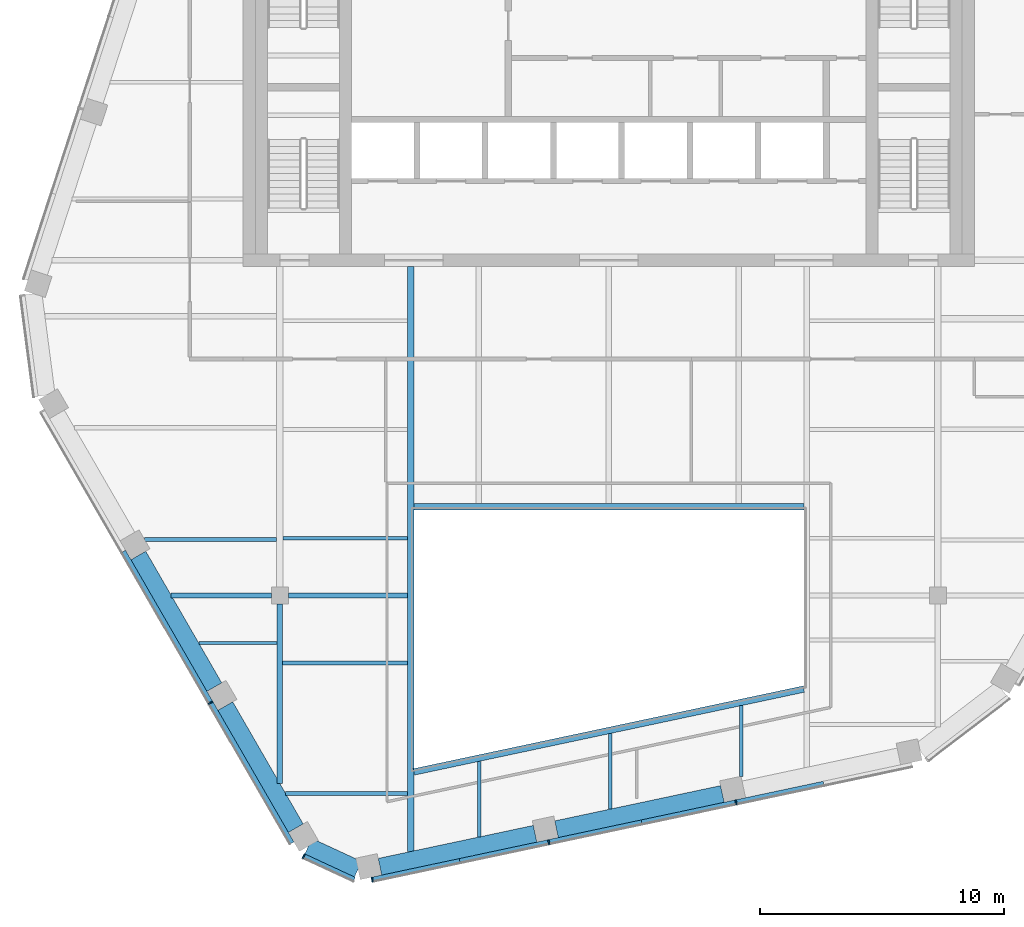
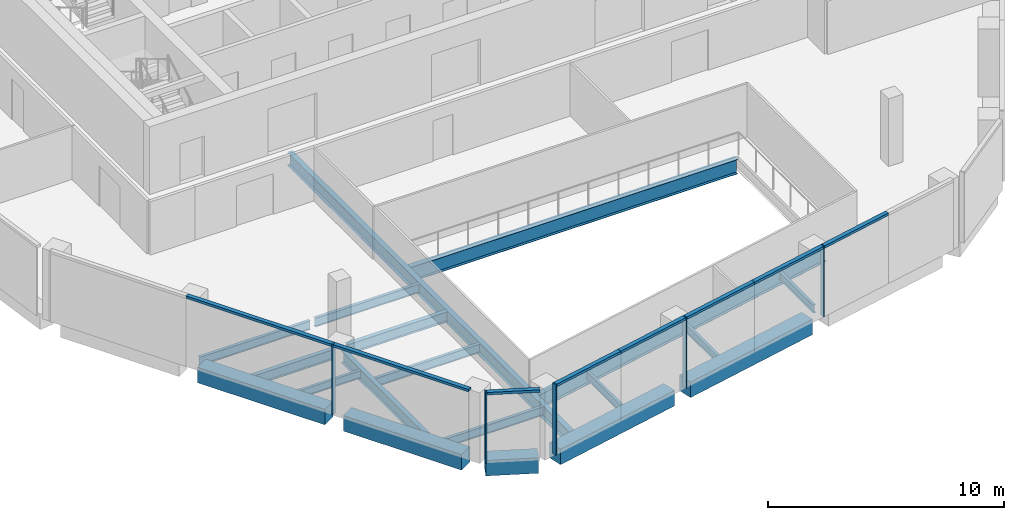
# One storey, part 2 of 15: 19 beams, 13 members, 3 elements without a shape of their own.
"""IFC4 building model written with IfcOpenShell, lengths in metres."""

from ifc_helpers import new_model, si_unit, direction, frame, origin, origin_2d, place, context, subcontext, project, spatial, rectangle, i_section, extrude, material, layer, layer_set, material_profile, profile_set, type_object, element, aggregate, save


model = new_model("IFC4")

# Units and contexts
model_context = context("Model", 3, precision=1e-05, world=origin(), true_north=direction((0.0, 1.0)))
body_context = subcontext(model_context, "Body", "Model", "MODEL_VIEW")
ifc_project = project(units=[si_unit("LENGTHUNIT", "METRE"), si_unit("AREAUNIT", "SQUARE_METRE"), si_unit("VOLUMEUNIT", "CUBIC_METRE"), si_unit("PLANEANGLEUNIT", "RADIAN"), si_unit("MASSUNIT", "GRAM", prefix="KILO")], contexts=[model_context])

# Site, building, storey
site_placement = place(None, origin())
site = spatial("IfcSite", under=ifc_project, at=site_placement, CompositionType="ELEMENT")
building_placement = place(site_placement, origin())
building = spatial("IfcBuilding", under=site, at=building_placement, Name="Isthmus Gate Tower", CompositionType="ELEMENT")
storey_placement = place(building_placement, frame((0.0, 0.0, 271.89990234375)))
storey = spatial("IfcBuildingStorey", under=building, at=storey_placement, Name="L69", CompositionType="ELEMENT", Elevation=271.89990234375)

# Curtain wall, member
ifc_material_1 = material(Name="Aluminium, pale champagne anodised", Category="aluminium")
ifc_layer = layer(ifc_material_1, 0.199951171875)
ifc_layer_set = layer_set([ifc_layer], Name="CW-1 UNITISED CURTAIN WALL 200 DEEP")
curtain_wall_type = type_object("IfcCurtainWallType", Name="CW-1 UNITISED CURTAIN WALL 200 DEEP", PredefinedType="NOTDEFINED", material=ifc_layer_set)
curtain_wall_1_placement = place(storey_placement, origin())
curtain_wall_1 = element("IfcCurtainWall", 1, at=curtain_wall_1_placement, inside=storey, type_object=curtain_wall_type, Name="CW-1 SW L69", PredefinedType="NOTDEFINED")
ifc_material_2 = material(Name="Aluminium, pale champagne anodised", Category="aluminium")
ifc_material_profile_1 = material_profile(ifc_material_2, rectangle(XDim=0.06005859375, YDim=0.199951171875, at=origin_2d()), Name="60x200")
ifc_profile_set_1 = profile_set([ifc_material_profile_1], Name="Aluminium, pale champagne anodised")
member_type_1 = type_object("IfcMemberType", Name="CW-1 MULLION 60 X 200", PredefinedType="MULLION", material=ifc_profile_set_1)
member_1_placement = place(storey_placement, frame((-16.33544921875, -17.90625, 0.0), z_axis=(0.0, 0.0, 1.0), x_axis=(0.5, -0.866025403784, 0.0)))
member_1 = element("IfcMember", 2, at=member_1_placement, type_object=member_type_1, Name="CW-1 mullion", PredefinedType="MULLION", context=body_context, shape_type="SweptSolid", body=[
    extrude(rectangle(XDim=0.06005859375, YDim=0.199951171875, at=origin_2d()), origin(), (0.0, 0.0, 1.0), 3.650146484375),
])

curtain_wall_2_placement = place(storey_placement, origin())
curtain_wall_2 = element("IfcCurtainWall", 3, at=curtain_wall_2_placement, inside=storey, type_object=curtain_wall_type, Name="CW-1 SW-S L69", PredefinedType="NOTDEFINED")
member_2_placement = place(storey_placement, frame((-12.519775390625, -24.201171875, 0.0), z_axis=(0.0, 0.0, 1.0), x_axis=(0.907256261367, -0.420578264073, 0.0)))
member_2 = element("IfcMember", 4, at=member_2_placement, type_object=member_type_1, Name="CW-1 mullion", PredefinedType="MULLION", context=body_context, shape_type="SweptSolid", body=[
    extrude(rectangle(XDim=0.06005859375, YDim=0.199951171875, at=origin_2d()), origin(), (0.0, 0.0, 1.0), 3.650146484375),
])

# Curtain wall, members
curtain_wall_3_placement = place(storey_placement, origin())
curtain_wall_3 = element("IfcCurtainWall", 5, at=curtain_wall_3_placement, inside=storey, type_object=curtain_wall_type, Name="CW-1 S L69", PredefinedType="NOTDEFINED")
member_3_placement = place(storey_placement, frame((-9.70703125, -25.16552734375, 0.0), z_axis=(0.0, 0.0, 1.0), x_axis=(0.978147600734, 0.207911690818, 0.0)))
member_3 = element("IfcMember", 6, at=member_3_placement, type_object=member_type_1, Name="CW-1 mullion", PredefinedType="MULLION", context=body_context, shape_type="SweptSolid", body=[
    extrude(rectangle(XDim=0.06005859375, YDim=0.199951171875, at=origin_2d()), origin(), (0.0, 0.0, 1.0), 3.650146484375),
])
member_4_placement = place(storey_placement, frame((-2.462158203125, -23.62548828125, 0.0), z_axis=(0.0, 0.0, 1.0), x_axis=(0.978147600734, 0.207911690818, 0.0)))
member_4 = element("IfcMember", 7, at=member_4_placement, type_object=member_type_1, Name="CW-1 mullion", PredefinedType="MULLION", context=body_context, shape_type="SweptSolid", body=[
    extrude(rectangle(XDim=0.06005859375, YDim=0.199951171875, at=origin_2d()), origin(), (0.0, 0.0, 1.0), 3.650146484375),
])
member_5_placement = place(storey_placement, frame((5.222900390625, -21.991943359375, 0.0), z_axis=(0.0, 0.0, 1.0), x_axis=(0.978147600734, 0.207911690818, 0.0)))
member_5 = element("IfcMember", 8, at=member_5_placement, type_object=member_type_1, Name="CW-1 mullion", PredefinedType="MULLION", context=body_context, shape_type="SweptSolid", body=[
    extrude(rectangle(XDim=0.06005859375, YDim=0.199951171875, at=origin_2d()), origin(), (0.0, 0.0, 1.0), 3.650146484375),
])

# Member
ifc_material_3 = material(Name="Aluminium, pale champagne anodised", Category="aluminium")
ifc_material_profile_2 = material_profile(ifc_material_3, rectangle(XDim=0.199951171875, YDim=0.1298828125, at=origin_2d()), Name="200x130")
ifc_profile_set_2 = profile_set([ifc_material_profile_2], Name="Aluminium, pale champagne anodised")
member_type_2 = type_object("IfcMemberType", Name="CW-1 TRANSOM 200 X 130", PredefinedType="USERDEFINED", material=ifc_profile_set_2)
member_6_placement = place(storey_placement, frame((-19.917724609375, -11.70166015625, 3.585205078125), z_axis=(0.500010763282, -0.866019189511, 0.0), x_axis=(0.866019189511, 0.500010763282, 0.0)))
member_6 = element("IfcMember", 9, at=member_6_placement, type_object=member_type_2, Name="CW-1 transom", ObjectType="TRANSOM", PredefinedType="USERDEFINED", context=body_context, shape_type="SweptSolid", body=[
    extrude(rectangle(XDim=0.199951171875, YDim=0.1298828125, at=origin_2d()), origin(), (0.0, 0.0, 1.0), 7.134521484375),
])

member_7_placement = place(storey_placement, frame((-16.3203125, -17.932373046875, 3.585205078125), z_axis=(0.500011702555, -0.866018647206, 0.0), x_axis=(0.866018647206, 0.500011702555, 0.0)))
member_7 = element("IfcMember", 10, at=member_7_placement, type_object=member_type_2, Name="CW-1 transom", ObjectType="TRANSOM", PredefinedType="USERDEFINED", context=body_context, shape_type="SweptSolid", body=[
    extrude(rectangle(XDim=0.199951171875, YDim=0.1298828125, at=origin_2d()), origin(), (0.0, 0.0, 1.0), 6.624267578125),
])

aggregate(curtain_wall_1, [member_6, member_1, member_7])

member_8_placement = place(storey_placement, frame((-12.49267578125, -24.213623046875, 3.585205078125), z_axis=(0.907246225564, -0.420599912268, 0.0), x_axis=(0.420599912268, 0.907246225564, 0.0)))
member_8 = element("IfcMember", 11, at=member_8_placement, type_object=member_type_2, Name="CW-1 transom", ObjectType="TRANSOM", PredefinedType="USERDEFINED", context=body_context, shape_type="SweptSolid", body=[
    extrude(rectangle(XDim=0.199951171875, YDim=0.1298828125, at=origin_2d()), origin(), (0.0, 0.0, 1.0), 2.258544921875),
])

aggregate(curtain_wall_2, [member_2, member_8])

member_9_placement = place(storey_placement, frame((-9.677734375, -25.1591796875, 3.585205078125), z_axis=(0.9781569775, 0.207867571707, 0.0), x_axis=(-0.207867571707, 0.9781569775, 0.0)))
member_9 = element("IfcMember", 12, at=member_9_placement, type_object=member_type_2, Name="CW-1 transom", ObjectType="TRANSOM", PredefinedType="USERDEFINED", context=body_context, shape_type="SweptSolid", body=[
    extrude(rectangle(XDim=0.199951171875, YDim=0.1298828125, at=origin_2d()), origin(), (0.0, 0.0, 1.0), 3.643310546875),
])

member_10_placement = place(storey_placement, frame((-6.114013671875, -24.40185546875, 3.585205078125), z_axis=(0.978146451283, 0.207917098487, 0.0), x_axis=(-0.207917098487, 0.978146451283, 0.0)))
member_10 = element("IfcMember", 13, at=member_10_placement, type_object=member_type_2, Name="CW-1 transom", ObjectType="TRANSOM", PredefinedType="USERDEFINED", context=body_context, shape_type="SweptSolid", body=[
    extrude(rectangle(XDim=0.199951171875, YDim=0.1298828125, at=origin_2d()), origin(), (0.0, 0.0, 1.0), 3.70361328125),
])

member_11_placement = place(storey_placement, frame((-2.432861328125, -23.619384765625, 3.585205078125), z_axis=(0.978140080964, 0.207947065409, 0.0), x_axis=(-0.207947065409, 0.978140080964, 0.0)))
member_11 = element("IfcMember", 14, at=member_11_placement, type_object=member_type_2, Name="CW-1 transom", ObjectType="TRANSOM", PredefinedType="USERDEFINED", context=body_context, shape_type="SweptSolid", body=[
    extrude(rectangle(XDim=0.199951171875, YDim=0.1298828125, at=origin_2d()), origin(), (0.0, 0.0, 1.0), 3.868408203125),
])

member_12_placement = place(storey_placement, frame((1.35107421875, -22.81494140625, 3.585205078125), z_axis=(0.978153006411, 0.207886257478, 0.0), x_axis=(-0.207886257478, 0.978153006411, 0.0)))
member_12 = element("IfcMember", 15, at=member_12_placement, type_object=member_type_2, Name="CW-1 transom", ObjectType="TRANSOM", PredefinedType="USERDEFINED", context=body_context, shape_type="SweptSolid", body=[
    extrude(rectangle(XDim=0.199951171875, YDim=0.1298828125, at=origin_2d()), origin(), (0.0, 0.0, 1.0), 3.928466796875),
])

member_13_placement = place(storey_placement, frame((5.25244140625, -21.98583984375, 3.585205078125), z_axis=(0.978143350472, 0.207931685724, 0.0), x_axis=(-0.207931685724, 0.978143350472, 0.0)))
member_13 = element("IfcMember", 16, at=member_13_placement, type_object=member_type_2, Name="CW-1 transom", ObjectType="TRANSOM", PredefinedType="USERDEFINED", context=body_context, shape_type="SweptSolid", body=[
    extrude(rectangle(XDim=0.199951171875, YDim=0.1298828125, at=origin_2d()), origin(), (0.0, 0.0, 1.0), 3.643310546875),
])

aggregate(curtain_wall_3, [member_3, member_9, member_10, member_4, member_11, member_12, member_5, member_13])

# Beams
ifc_material_4 = material(Name="Concrete f'c 50 MPa", Category="concrete")
ifc_material_profile_3 = material_profile(ifc_material_4, rectangle(XDim=0.699951171875, YDim=0.800048828125, at=origin_2d()), Name="RC 700X800")
ifc_profile_set_3 = profile_set([ifc_material_profile_3], Name="Concrete f'c 50 MPa")
beam_type_1 = type_object("IfcBeamType", Name="RC SPANDREL 700 X 800", PredefinedType="SPANDREL", material=ifc_profile_set_3)
beam_1_placement = place(storey_placement, frame((4.659912109375, -21.651611328125, -0.39990234375), z_axis=(-0.978143150477, -0.207932626528, 0.0), x_axis=(0.207932626528, -0.978143150477, 0.0)))
element("IfcBeam", 17, at=beam_1_placement, inside=storey, type_object=beam_type_1, Name="str-spandrel-L69-10", PredefinedType="SPANDREL", context=body_context, shape_type="SweptSolid", body=[
    extrude(rectangle(XDim=0.699951171875, YDim=0.800048828125, at=origin_2d()), origin(), (0.0, 0.0, 1.0), 6.956787109375),
])
beam_2_placement = place(storey_placement, frame((-3.025146484375, -23.28515625, -0.39990234375), z_axis=(-0.97815026796, -0.207899142108, 0.0), x_axis=(0.207899142108, -0.97815026796, 0.0)))
element("IfcBeam", 18, at=beam_2_placement, inside=storey, type_object=beam_type_1, Name="str-spandrel-L69-11", PredefinedType="SPANDREL", context=body_context, shape_type="SweptSolid", body=[
    extrude(rectangle(XDim=0.699951171875, YDim=0.800048828125, at=origin_2d()), origin(), (0.0, 0.0, 1.0), 6.5068359375),
])
beam_3_placement = place(storey_placement, frame((-10.288330078125, -24.739501953125, -0.39990234375), z_axis=(-0.907254968276, 0.42058105347, 0.0), x_axis=(-0.42058105347, -0.907254968276, 0.0)))
element("IfcBeam", 19, at=beam_3_placement, inside=storey, type_object=beam_type_1, Name="str-spandrel-L69-12", PredefinedType="SPANDREL", context=body_context, shape_type="SweptSolid", body=[
    extrude(rectangle(XDim=0.699951171875, YDim=0.800048828125, at=origin_2d()), origin(), (0.0, 0.0, 1.0), 2.245849609375),
])
beam_4_placement = place(storey_placement, frame((-12.843505859375, -23.0546875, -0.39990234375), z_axis=(-0.499961143711, 0.866047836311, 0.0), x_axis=(-0.866047836311, -0.499961143711, 0.0)))
element("IfcBeam", 20, at=beam_4_placement, inside=storey, type_object=beam_type_1, Name="str-spandrel-L69-13", PredefinedType="SPANDREL", context=body_context, shape_type="SweptSolid", body=[
    extrude(rectangle(XDim=0.699951171875, YDim=0.800048828125, at=origin_2d()), origin(), (0.0, 0.0, 1.0), 5.78466796875),
])
beam_5_placement = place(storey_placement, frame((-16.185791015625, -17.265625, -0.39990234375), z_axis=(-0.499997027648, 0.866027119866, 0.0), x_axis=(-0.866027119866, -0.499997027648, 0.0)))
element("IfcBeam", 21, at=beam_5_placement, inside=storey, type_object=beam_type_1, Name="str-spandrel-L69-14", PredefinedType="SPANDREL", context=body_context, shape_type="SweptSolid", body=[
    extrude(rectangle(XDim=0.699951171875, YDim=0.800048828125, at=origin_2d()), origin(), (0.0, 0.0, 1.0), 6.234375),
])
ifc_material_5 = material(Name="Structural steel ASTM A992 Gr 50", Category="steel")
ifc_material_profile_4 = material_profile(ifc_material_5, i_section(OverallWidth=0.1396484375, OverallDepth=0.4033203125, WebThickness=0.00634765625, FlangeThickness=0.010986328125, at=origin_2d()), Name="W16X31")
ifc_profile_set_4 = profile_set([ifc_material_profile_4], Name="Structural steel ASTM A992 Gr 50")
beam_type_2 = type_object("IfcBeamType", Name="STEEL FLOOR BEAM W16X31", PredefinedType="JOIST", material=ifc_profile_set_4)
beam_6_placement = place(storey_placement, frame((-16.824951171875, -15.45849609375, -0.3515625), z_axis=(1.0, 0.0, 0.0), x_axis=(0.0, 1.0, 0.0)))
element("IfcBeam", 22, at=beam_6_placement, inside=storey, type_object=beam_type_2, Name="str-beam-L69-02-00", PredefinedType="JOIST", context=body_context, shape_type="SweptSolid", body=[
    extrude(i_section(OverallWidth=0.1396484375, OverallDepth=0.4033203125, WebThickness=0.00634765625, FlangeThickness=0.010986328125, at=origin_2d()), origin(), (0.0, 0.0, 1.0), 3.210693359375),
])
for number, where, z_axis, x_axis, name in (
    (23, (-5.314208984375, -23.4140625, -0.3515625), (0.0, 1.0, 0.0), (-1.0, 0.0, 0.0), "str-beam-L69-05-00"),
    (24, (0.05712890625, -22.272216796875, -0.3515625), (0.0, 1.0, 0.0), (-1.0, 0.0, 0.0), "str-beam-L69-05-01"),
):
    element("IfcBeam", number, at=place(storey_placement, frame(where, z_axis=z_axis, x_axis=x_axis)), inside=storey, type_object=beam_type_2, Name=name, PredefinedType="JOIST", context=body_context, shape_type="SweptSolid", body=[
        extrude(i_section(OverallWidth=0.1396484375, OverallDepth=0.4033203125, WebThickness=0.00634765625, FlangeThickness=0.010986328125, at=origin_2d()), origin(), (0.0, 0.0, 1.0), 3.10107421875),
    ])
beam_7_placement = place(storey_placement, frame((5.428466796875, -20.939208984375, -0.3515625), z_axis=(0.0, 1.0, 0.0), x_axis=(-1.0, 0.0, 0.0)))
element("IfcBeam", 25, at=beam_7_placement, inside=storey, type_object=beam_type_2, Name="str-beam-L69-05-02", PredefinedType="JOIST", context=body_context, shape_type="SweptSolid", body=[
    extrude(i_section(OverallWidth=0.1396484375, OverallDepth=0.4033203125, WebThickness=0.00634765625, FlangeThickness=0.010986328125, at=origin_2d()), origin(), (0.0, 0.0, 1.0), 2.909912109375),
])
ifc_material_6 = material(Name="Structural steel ASTM A992 Gr 50", Category="steel")
ifc_material_profile_5 = material_profile(ifc_material_6, i_section(OverallWidth=0.15234375, OverallDepth=0.45068359375, WebThickness=0.0078125, FlangeThickness=0.010986328125, at=origin_2d()), Name="W18X35")
ifc_profile_set_5 = profile_set([ifc_material_profile_5], Name="Structural steel ASTM A992 Gr 50")
beam_type_3 = type_object("IfcBeamType", Name="STEEL FLOOR BEAM W18X35", PredefinedType="JOIST", material=ifc_profile_set_5)
beam_8_placement = place(storey_placement, frame((-19.0478515625, -11.208251953125, -0.375244140625), z_axis=(1.0, 0.0, 0.0), x_axis=(0.0, 1.0, 0.0)))
element("IfcBeam", 26, at=beam_8_placement, inside=storey, type_object=beam_type_3, Name="str-beam-L69-01-00", PredefinedType="JOIST", context=body_context, shape_type="SweptSolid", body=[
    extrude(i_section(OverallWidth=0.15234375, OverallDepth=0.45068359375, WebThickness=0.0078125, FlangeThickness=0.010986328125, at=origin_2d()), origin(), (0.0, 0.0, 1.0), 5.416015625),
])
beam_9_placement = place(storey_placement, frame((-13.3681640625, -11.16259765625, -0.375244140625), z_axis=(1.0, 0.0, 0.0), x_axis=(0.0, 1.0, 0.0)))
element("IfcBeam", 27, at=beam_9_placement, inside=storey, type_object=beam_type_3, Name="str-beam-L69-03-00", PredefinedType="JOIST", context=body_context, shape_type="SweptSolid", body=[
    extrude(i_section(OverallWidth=0.15234375, OverallDepth=0.45068359375, WebThickness=0.0078125, FlangeThickness=0.010986328125, at=origin_2d()), origin(), (0.0, 0.0, 1.0), 5.1142578125),
])
beam_10_placement = place(storey_placement, frame((-13.2587890625, -21.635009765625, -0.375244140625), z_axis=(1.0, 0.0, 0.0), x_axis=(0.0, 1.0, 0.0)))
element("IfcBeam", 28, at=beam_10_placement, inside=storey, type_object=beam_type_3, Name="str-beam-L69-04-00", PredefinedType="JOIST", context=body_context, shape_type="SweptSolid", body=[
    extrude(i_section(OverallWidth=0.15234375, OverallDepth=0.45068359375, WebThickness=0.0078125, FlangeThickness=0.010986328125, at=origin_2d()), origin(), (0.0, 0.0, 1.0), 5.0048828125),
])
beam_11_placement = place(storey_placement, frame((-13.3857421875, -16.281494140625, -0.375244140625), z_axis=(1.0, 0.0, 0.0), x_axis=(0.0, 1.0, 0.0)))
element("IfcBeam", 29, at=beam_11_placement, inside=storey, type_object=beam_type_3, Name="str-beam-L69-04-01", PredefinedType="JOIST", context=body_context, shape_type="SweptSolid", body=[
    extrude(i_section(OverallWidth=0.15234375, OverallDepth=0.45068359375, WebThickness=0.0078125, FlangeThickness=0.010986328125, at=origin_2d()), origin(), (0.0, 0.0, 1.0), 5.1318359375),
])
ifc_material_7 = material(Name="Structural steel ASTM A992 Gr 50", Category="steel")
ifc_material_profile_6 = material_profile(ifc_material_7, i_section(OverallWidth=0.20947265625, OverallDepth=0.533447265625, WebThickness=0.009521484375, FlangeThickness=0.015869140625, at=origin_2d()), Name="W21X62")
ifc_profile_set_6 = profile_set([ifc_material_profile_6], Name="Structural steel ASTM A992 Gr 50")
beam_type_4 = type_object("IfcBeamType", Name="STEEL GIRDER W21X62", PredefinedType="BEAM", material=ifc_profile_set_6)
beam_12_placement = place(storey_placement, frame((-17.95556640625, -13.5, -0.41650390625), z_axis=(1.0, 0.0, 0.0), x_axis=(0.0, 1.0, 0.0)))
element("IfcBeam", 30, at=beam_12_placement, inside=storey, type_object=beam_type_4, Name="str-girder-L69-01", PredefinedType="BEAM", context=body_context, shape_type="SweptSolid", body=[
    extrude(i_section(OverallWidth=0.20947265625, OverallDepth=0.533447265625, WebThickness=0.009521484375, FlangeThickness=0.015869140625, at=origin_2d()), origin(), (0.0, 0.0, 1.0), 4.10546875),
])
beam_13_placement = place(storey_placement, frame((-13.14990234375, -13.5, -0.41650390625), z_axis=(1.0, 0.0, 0.0), x_axis=(0.0, 1.0, 0.0)))
element("IfcBeam", 31, at=beam_13_placement, inside=storey, type_object=beam_type_4, Name="str-girder-L69-02", PredefinedType="BEAM", context=body_context, shape_type="SweptSolid", body=[
    extrude(i_section(OverallWidth=0.20947265625, OverallDepth=0.533447265625, WebThickness=0.009521484375, FlangeThickness=0.015869140625, at=origin_2d()), origin(), (0.0, 0.0, 1.0), 4.89599609375),
])
ifc_material_8 = material(Name="Structural steel ASTM A992 Gr 50", Category="steel")
ifc_material_profile_7 = material_profile(ifc_material_8, i_section(OverallWidth=0.228515625, OverallDepth=0.603271484375, WebThickness=0.010986328125, FlangeThickness=0.014404296875, at=origin_2d()), Name="W24X68")
ifc_profile_set_7 = profile_set([ifc_material_profile_7], Name="Structural steel ASTM A992 Gr 50")
beam_type_5 = type_object("IfcBeamType", Name="STEEL GIRDER W24X68", PredefinedType="BEAM", material=ifc_profile_set_7)
beam_14_placement = place(storey_placement, frame((-13.5, -21.21728515625, -0.451416015625), z_axis=(0.0, 1.0, 0.0), x_axis=(-1.0, 0.0, 0.0)))
element("IfcBeam", 32, at=beam_14_placement, inside=storey, type_object=beam_type_5, Name="str-girder-L69-05", PredefinedType="BEAM", context=body_context, shape_type="SweptSolid", body=[
    extrude(i_section(OverallWidth=0.228515625, OverallDepth=0.603271484375, WebThickness=0.010986328125, FlangeThickness=0.014404296875, at=origin_2d()), origin(), (0.0, 0.0, 1.0), 7.3671875),
])
ifc_material_9 = material(Name="Structural steel ASTM A992 Gr 50", Category="steel")
ifc_material_profile_8 = material_profile(ifc_material_9, i_section(OverallWidth=0.25390625, OverallDepth=0.679443359375, WebThickness=0.010986328125, FlangeThickness=0.015869140625, at=origin_2d()), Name="W27X84")
ifc_profile_set_8 = profile_set([ifc_material_profile_8], Name="Structural steel ASTM A992 Gr 50")
beam_type_6 = type_object("IfcBeamType", Name="STEEL TRIMMER W27X84", PredefinedType="BEAM", material=ifc_profile_set_8)
beam_15_placement = place(storey_placement, frame((-8.126953125, 0.0, -0.489501953125), z_axis=(0.0, -1.0, 0.0), x_axis=(1.0, 0.0, 0.0)))
element("IfcBeam", 33, at=beam_15_placement, inside=storey, type_object=beam_type_6, Name="str-trimmer-L69-02", PredefinedType="BEAM", context=body_context, shape_type="SweptSolid", body=[
    extrude(i_section(OverallWidth=0.25390625, OverallDepth=0.679443359375, WebThickness=0.010986328125, FlangeThickness=0.015869140625, at=origin_2d()), origin(), (0.0, 0.0, 1.0), 24.01171875),
])
ifc_material_10 = material(Name="Structural steel ASTM A992 Gr 50", Category="steel")
ifc_material_profile_9 = material_profile(ifc_material_10, i_section(OverallWidth=0.2666015625, OverallDepth=0.7587890625, WebThickness=0.014404296875, FlangeThickness=0.01904296875, at=origin_2d()), Name="W30X108")
ifc_profile_set_9 = profile_set([ifc_material_profile_9], Name="Structural steel ASTM A992 Gr 50")
beam_type_7 = type_object("IfcBeamType", Name="STEEL TRIMMER W30X108", PredefinedType="BEAM", material=ifc_profile_set_9)
beam_16_placement = place(storey_placement, frame((-8.0, -20.747314453125, -0.529296875), z_axis=(0.978147924985, 0.20791016533, 0.0), x_axis=(-0.20791016533, 0.978147924985, 0.0)))
element("IfcBeam", 34, at=beam_16_placement, inside=storey, type_object=beam_type_7, Name="str-trimmer-L69-03", PredefinedType="BEAM", context=body_context, shape_type="SweptSolid", body=[
    extrude(i_section(OverallWidth=0.2666015625, OverallDepth=0.7587890625, WebThickness=0.014404296875, FlangeThickness=0.01904296875, at=origin_2d()), origin(), (0.0, 0.0, 1.0), 16.357421875),
])
beam_17_placement = place(storey_placement, frame((8.0, -9.86669921875, -0.529296875), z_axis=(-1.0, 0.0, 0.0), x_axis=(0.0, -1.0, 0.0)))
element("IfcBeam", 35, at=beam_17_placement, inside=storey, type_object=beam_type_7, Name="str-trimmer-L69-04", PredefinedType="BEAM", context=body_context, shape_type="SweptSolid", body=[
    extrude(i_section(OverallWidth=0.2666015625, OverallDepth=0.7587890625, WebThickness=0.014404296875, FlangeThickness=0.01904296875, at=origin_2d()), origin(), (0.0, 0.0, 1.0), 16.0),
])

save(model, "model.ifc")
